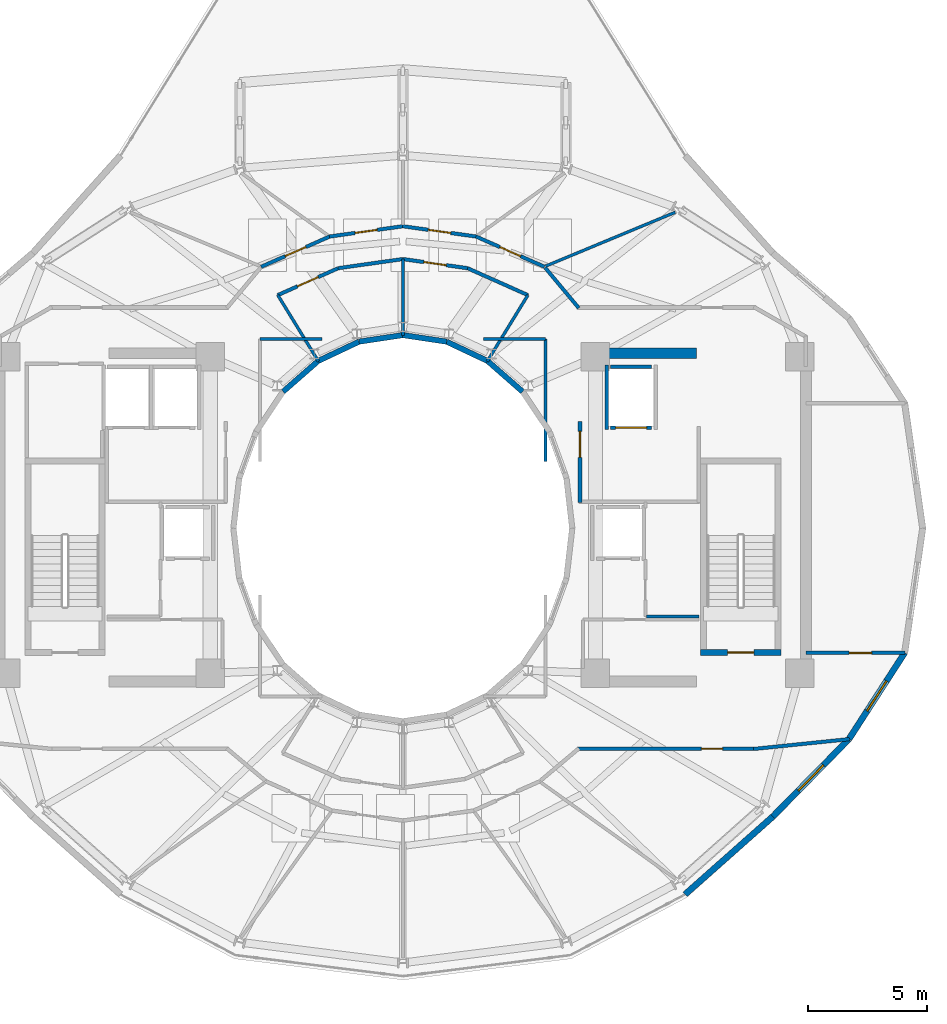
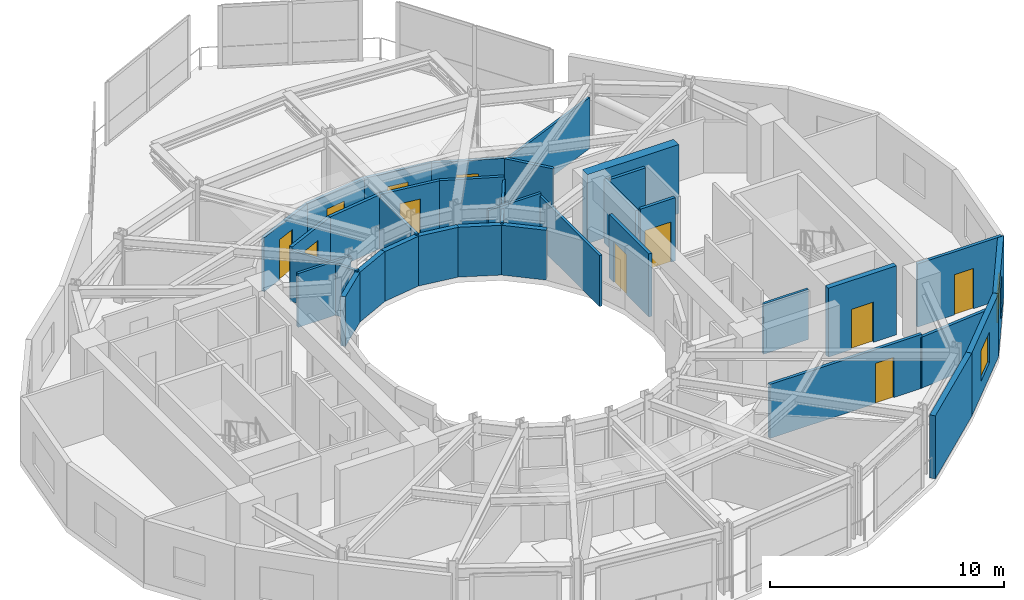
# One storey, part 15 of 19: 35 walls, 11 doors, 2 windows, 13 openings.
"""IFC4 building model written with IfcOpenShell, lengths in metres."""

from ifc_helpers import new_model, si_unit, direction, frame, frame_2d, origin, place, context, subcontext, project, spatial, rectangle, extrude, material, layer, layer_set, type_object, element, fill, save


model = new_model("IFC4")

# Units and contexts
model_context = context("Model", 3, precision=1e-05, world=origin(), true_north=direction((0.0, 1.0)))
body_context = subcontext(model_context, "Body", "Model", "MODEL_VIEW")
ifc_project = project(units=[si_unit("LENGTHUNIT", "METRE"), si_unit("AREAUNIT", "SQUARE_METRE"), si_unit("VOLUMEUNIT", "CUBIC_METRE"), si_unit("PLANEANGLEUNIT", "RADIAN"), si_unit("MASSUNIT", "GRAM", prefix="KILO")], contexts=[model_context])

# Site, building, storey
site_placement = place(None, origin())
site = spatial("IfcSite", under=ifc_project, at=site_placement, CompositionType="ELEMENT")
building_placement = place(site_placement, origin())
building = spatial("IfcBuilding", under=site, at=building_placement, Name="Solvane Sanctuary Tower", CompositionType="ELEMENT")
storey_placement = place(building_placement, frame((0.0, 0.0, 249.60009765625)))
storey = spatial("IfcBuildingStorey", under=building, at=storey_placement, Name="L76", CompositionType="ELEMENT", Elevation=249.60009765625)

# Wall
ifc_material_1 = material(Name="Concrete C50/60", Category="concrete")
ifc_layer_1 = layer(ifc_material_1, 0.449951171875, Name="Concrete C50/60")
ifc_layer_set_1 = layer_set([ifc_layer_1], Name="Concrete C50/60")
wall_type_1 = type_object("IfcWallType", Name="Wall W-CORE-450", PredefinedType="SHEAR", material=ifc_layer_set_1)
wall_1_placement = place(storey_placement, frame((39.85009765625, 30.35009765625, 0.0), z_axis=(0.0, 0.0, 1.0), x_axis=(1.0, 0.0, 0.0)))
element("IfcWall", 1, at=wall_1_placement, inside=storey, type_object=wall_type_1, Name="L76 Core Shear Wall EC-N", PredefinedType="SHEAR", context=body_context, shape_type="SweptSolid", body=[
    extrude(rectangle(XDim=4.5, YDim=0.449951171875, at=frame_2d((2.25, 0.0))), origin(), (0.0, 0.0, 1.0), 3.599853515625),
])

# Wall, opening, door
ifc_material_2 = material(Name="Acoustic Gypsum Partition Board")
ifc_layer_2 = layer(ifc_material_2, 0.14990234375, Name="Acoustic Gypsum Partition Board")
ifc_layer_set_2 = layer_set([ifc_layer_2], Name="Acoustic Gypsum Partition Board")
wall_type_2 = type_object("IfcWallType", Name="Wall W-CORR-150", PredefinedType="PARTITIONING", material=ifc_layer_set_2)
wall_2_placement = place(storey_placement, frame((39.449951171875, 24.080078125, 0.0), z_axis=(0.0, 0.0, 1.0), x_axis=(0.0, 1.0, 0.0)))
wall_2 = element("IfcWall", 2, at=wall_2_placement, inside=storey, type_object=wall_type_2, Name="L76 East Firefighting Lobby West Wall", PredefinedType="PARTITIONING", context=body_context, shape_type="SweptSolid", body=[
    extrude(rectangle(XDim=3.39990234375, YDim=0.14990234375, at=frame_2d((1.699951171875, 0.0))), origin(), (0.0, 0.0, 1.0), 3.294921875),
])
opening_1_placement = place(wall_2_placement, frame((1.893798828125, 0.0, 0.0)))
opening_1 = element("IfcOpeningElement", 3, at=opening_1_placement, cuts=wall_2, Name="Opening D-L76-04", PredefinedType="OPENING", context=body_context, shape_type="SweptSolid", body=[
    extrude(rectangle(XDim=1.10009765625, YDim=2.10009765625, at=frame_2d((0.550048828125, 1.050048828125))), frame((0.0, 0.0849609375, 0.0), z_axis=(0.0, -1.0, 0.0), x_axis=(1.0, 0.0, 0.0)), (0.0, 0.0, 1.0), 0.169921875),
])
ifc_material_3 = material(Name="Architectural Stainless Steel 316", Category="steel")
door_type_1 = type_object("IfcDoorType", Name="Door D-FFL", OperationType="NOTDEFINED", PredefinedType="DOOR", material=ifc_material_3)
door_1_placement = place(opening_1_placement, origin())
door_1 = element("IfcDoor", 4, at=door_1_placement, inside=storey, type_object=door_type_1, Name="L76 East Firefighting Lobby Fire Door", OperationType="SINGLE_SWING_LEFT", OverallHeight=2.10009765625, OverallWidth=1.10009765625, PredefinedType="DOOR", context=body_context, shape_type="SweptSolid", body=[
    extrude(rectangle(XDim=1.10009765625, YDim=2.10009765625, at=frame_2d((0.550048828125, 1.050048828125))), frame((0.0, 0.02490234375, 0.0), z_axis=(0.0, -1.0, 0.0), x_axis=(1.0, 0.0, 0.0)), (0.0, 0.0, 1.0), 0.050048828125),
])
fill(opening_1, door_1)

# Wall
wall_3_placement = place(storey_placement, frame((37.265380859375, 32.797607421875, 0.0), z_axis=(0.0, 0.0, 1.0), x_axis=(-0.913254317828, 0.407389924971, 0.0)))
element("IfcWall", 5, at=wall_3_placement, inside=storey, type_object=wall_type_2, Name="L76 Light-Well Alcove Corridor Wall 1", PredefinedType="PARTITIONING", context=body_context, shape_type="SweptSolid", body=[
    extrude(rectangle(XDim=2.78662109375, YDim=0.14990234375, at=frame_2d((1.393310546875, 0.0))), origin(), (0.0, 0.0, 1.0), 2.822998046875),
])

# Wall, opening, door
wall_4_placement = place(storey_placement, frame((34.72412109375, 33.931884765625, 0.0), z_axis=(0.0, 0.0, 1.0), x_axis=(-0.990150268487, 0.140008734782, 0.0)))
wall_4 = element("IfcWall", 6, at=wall_4_placement, inside=storey, type_object=wall_type_2, Name="L76 Light-Well Alcove Corridor Wall 1", PredefinedType="PARTITIONING", context=body_context, shape_type="SweptSolid", body=[
    extrude(rectangle(XDim=2.758544921875, YDim=0.14990234375, at=frame_2d((1.37939453125, 0.0))), origin(), (0.0, 0.0, 1.0), 2.822998046875),
])
opening_2_placement = place(wall_4_placement, frame((0.904296875, 0.0, 0.0)))
opening_2 = element("IfcOpeningElement", 7, at=opening_2_placement, cuts=wall_4, Name="Opening D-L76-10", PredefinedType="OPENING", context=body_context, shape_type="SweptSolid", body=[
    extrude(rectangle(XDim=0.949951171875, YDim=2.10009765625, at=frame_2d((0.47509765625, 1.050048828125))), frame((0.0, 0.0849609375, 0.0), z_axis=(0.0, -1.0, 0.0), x_axis=(1.0, 0.0, 0.0)), (0.0, 0.0, 1.0), 0.169921875),
])
ifc_material_4 = material(Name="Engineered Tropical Hardwood", Category="wood")
door_type_2 = type_object("IfcDoorType", Name="Door D-ROOM-950", OperationType="NOTDEFINED", PredefinedType="DOOR", material=ifc_material_4)
door_2_placement = place(opening_2_placement, origin())
door_2 = element("IfcDoor", 8, at=door_2_placement, inside=storey, type_object=door_type_2, Name="L76 Light-Well Alcove Door 1", OperationType="SINGLE_SWING_LEFT", OverallHeight=2.10009765625, OverallWidth=0.949951171875, PredefinedType="DOOR", context=body_context, shape_type="SweptSolid", body=[
    extrude(rectangle(XDim=0.949951171875, YDim=2.10009765625, at=frame_2d((0.47509765625, 1.050048828125))), frame((0.0, 0.02490234375, 0.0), z_axis=(0.0, -1.0, 0.0), x_axis=(1.0, 0.0, 0.0)), (0.0, 0.0, 1.0), 0.050048828125),
])
fill(opening_2, door_2)

# Wall
wall_5_placement = place(storey_placement, frame((32.00732421875, 34.318115234375, 0.0), z_axis=(0.0, 0.0, 1.0), x_axis=(-0.990150268487, -0.140008734782, 0.0)))
element("IfcWall", 9, at=wall_5_placement, inside=storey, type_object=wall_type_2, Name="L76 Light-Well Alcove Corridor Wall 2", PredefinedType="PARTITIONING", context=body_context, shape_type="SweptSolid", body=[
    extrude(rectangle(XDim=2.758544921875, YDim=0.14990234375, at=frame_2d((1.37939453125, 0.0))), origin(), (0.0, 0.0, 1.0), 2.822998046875),
])

# Wall, opening, door
wall_6_placement = place(storey_placement, frame((29.279541015625, 33.932861328125, 0.0), z_axis=(0.0, 0.0, 1.0), x_axis=(-0.913254317828, -0.407389924971, 0.0)))
wall_6 = element("IfcWall", 10, at=wall_6_placement, inside=storey, type_object=wall_type_2, Name="L76 Light-Well Alcove Corridor Wall 2", PredefinedType="PARTITIONING", context=body_context, shape_type="SweptSolid", body=[
    extrude(rectangle(XDim=2.78662109375, YDim=0.14990234375, at=frame_2d((1.393310546875, 0.0))), origin(), (0.0, 0.0, 1.0), 2.822998046875),
])
opening_3_placement = place(wall_6_placement, frame((0.918212890625, 0.0, 0.0)))
opening_3 = element("IfcOpeningElement", 11, at=opening_3_placement, cuts=wall_6, Name="Opening D-L76-11", PredefinedType="OPENING", context=body_context, shape_type="SweptSolid", body=[
    extrude(rectangle(XDim=0.949951171875, YDim=2.10009765625, at=frame_2d((0.47509765625, 1.050048828125))), frame((0.0, 0.0849609375, 0.0), z_axis=(0.0, -1.0, 0.0), x_axis=(1.0, 0.0, 0.0)), (0.0, 0.0, 1.0), 0.169921875),
])
door_3_placement = place(opening_3_placement, origin())
door_3 = element("IfcDoor", 12, at=door_3_placement, inside=storey, type_object=door_type_2, Name="L76 Light-Well Alcove Door 2", OperationType="SINGLE_SWING_RIGHT", OverallHeight=2.10009765625, OverallWidth=0.949951171875, PredefinedType="DOOR", context=body_context, shape_type="SweptSolid", body=[
    extrude(rectangle(XDim=0.949951171875, YDim=2.10009765625, at=frame_2d((0.47509765625, 1.050048828125))), frame((0.0, 0.02490234375, 0.0), z_axis=(0.0, -1.0, 0.0), x_axis=(1.0, 0.0, 0.0)), (0.0, 0.0, 1.0), 0.050048828125),
])
fill(opening_3, door_3)

wall_7_placement = place(storey_placement, frame((48.949951171875, 17.754638671875, 0.0), z_axis=(0.0, 0.0, 1.0), x_axis=(1.0, 0.0, 0.0)))
wall_7 = element("IfcWall", 13, at=wall_7_placement, inside=storey, type_object=wall_type_2, Name="L76 East Shoulder South Wall", PredefinedType="PARTITIONING", context=body_context, shape_type="SweptSolid", body=[
    extrude(rectangle(XDim=4.174560546875, YDim=0.14990234375, at=frame_2d((2.08740234375, 0.0))), origin(), (0.0, 0.0, 1.0), 3.294921875),
])
opening_4_placement = place(wall_7_placement, frame((1.817138671875, 0.0, 0.0)))
opening_4 = element("IfcOpeningElement", 14, at=opening_4_placement, cuts=wall_7, Name="Opening D-L76-14", PredefinedType="OPENING", context=body_context, shape_type="SweptSolid", body=[
    extrude(rectangle(XDim=0.949951171875, YDim=2.10009765625, at=frame_2d((0.47509765625, 1.050048828125))), frame((0.0, 0.0849609375, 0.0), z_axis=(0.0, -1.0, 0.0), x_axis=(1.0, 0.0, 0.0)), (0.0, 0.0, 1.0), 0.169921875),
])
door_4_placement = place(opening_4_placement, origin())
door_4 = element("IfcDoor", 15, at=door_4_placement, inside=storey, type_object=door_type_2, Name="L76 East Shoulder South Door", OperationType="SINGLE_SWING_LEFT", OverallHeight=2.10009765625, OverallWidth=0.949951171875, PredefinedType="DOOR", context=body_context, shape_type="SweptSolid", body=[
    extrude(rectangle(XDim=0.949951171875, YDim=2.10009765625, at=frame_2d((0.47509765625, 1.050048828125))), frame((0.0, 0.02490234375, 0.0), z_axis=(0.0, -1.0, 0.0), x_axis=(1.0, 0.0, 0.0)), (0.0, 0.0, 1.0), 0.050048828125),
])
fill(opening_4, door_4)

# Wall
wall_8_placement = place(storey_placement, frame((37.984130859375, 33.95458984375, 0.0), z_axis=(0.0, 0.0, 1.0), x_axis=(0.64030392053, -0.76812166312, 0.0)))
element("IfcWall", 16, at=wall_8_placement, inside=storey, type_object=wall_type_2, Name="L76 NE Corner Throat Wall", PredefinedType="PARTITIONING", context=body_context, shape_type="SweptSolid", body=[
    extrude(rectangle(XDim=2.2099609375, YDim=0.14990234375, at=frame_2d((1.10498046875, 0.0))), origin(), (0.0, 0.0, 1.0), 2.81591796875),
])

# Wall, opening, door
wall_9_placement = place(storey_placement, frame((39.330078125, 13.719970703125, 0.0), z_axis=(0.0, 0.0, 1.0), x_axis=(1.0, 0.0, 0.0)))
wall_9 = element("IfcWall", 17, at=wall_9_placement, inside=storey, type_object=wall_type_2, Name="L76 SE Corner Corridor Wall", PredefinedType="PARTITIONING", context=body_context, shape_type="SweptSolid", body=[
    extrude(rectangle(XDim=7.52001953125, YDim=0.14990234375, at=frame_2d((3.760009765625, 0.0))), origin(), (0.0, 0.0, 1.0), 2.81591796875),
])
opening_5_placement = place(wall_9_placement, frame((5.219970703125, 0.0, 0.0)))
opening_5 = element("IfcOpeningElement", 18, at=opening_5_placement, cuts=wall_9, Name="Opening D-L76-19", PredefinedType="OPENING", context=body_context, shape_type="SweptSolid", body=[
    extrude(rectangle(XDim=0.89990234375, YDim=2.10009765625, at=frame_2d((0.449951171875, 1.050048828125))), frame((0.0, 0.0849609375, 0.0), z_axis=(0.0, -1.0, 0.0), x_axis=(1.0, 0.0, 0.0)), (0.0, 0.0, 1.0), 0.169921875),
])
door_type_3 = type_object("IfcDoorType", Name="Door D-WET-900", OperationType="NOTDEFINED", PredefinedType="DOOR", material=ifc_material_4)
door_5_placement = place(opening_5_placement, origin())
door_5 = element("IfcDoor", 19, at=door_5_placement, inside=storey, type_object=door_type_3, Name="L76 SE Corner Salon Door", OperationType="SINGLE_SWING_RIGHT", OverallHeight=2.10009765625, OverallWidth=0.89990234375, PredefinedType="DOOR", context=body_context, shape_type="SweptSolid", body=[
    extrude(rectangle(XDim=0.89990234375, YDim=2.10009765625, at=frame_2d((0.449951171875, 1.050048828125))), frame((0.0, 0.02490234375, 0.0), z_axis=(0.0, -1.0, 0.0), x_axis=(1.0, 0.0, 0.0)), (0.0, 0.0, 1.0), 0.050048828125),
])
fill(opening_5, door_5)

# Wall
wall_10_placement = place(storey_placement, frame((46.750244140625, 13.71484375, 0.0), z_axis=(0.0, 0.0, 1.0), x_axis=(0.994734711466, 0.102483431859, 0.0)))
element("IfcWall", 20, at=wall_10_placement, inside=storey, type_object=wall_type_2, Name="L76 SE Corner Wing Wall", PredefinedType="PARTITIONING", context=body_context, shape_type="SweptSolid", body=[
    extrude(rectangle(XDim=4.04736328125, YDim=0.14990234375, at=frame_2d((2.023681640625, 0.0))), origin(), (0.0, 0.0, 1.0), 2.659912109375),
])

# Wall, opening, door
wall_11_placement = place(storey_placement, frame((37.956298828125, 33.992431640625, 0.0), z_axis=(0.0, 0.0, 1.0), x_axis=(-0.914642679993, 0.404263240891, 0.0)))
wall_11 = element("IfcWall", 21, at=wall_11_placement, inside=storey, type_object=wall_type_2, Name="L76 Sky Promenade Corridor Wall N1", PredefinedType="PARTITIONING", context=body_context, shape_type="SweptSolid", body=[
    extrude(rectangle(XDim=3.154296875, YDim=0.14990234375, at=frame_2d((1.5771484375, 0.0))), origin(), (0.0, 0.0, 1.0), 2.822998046875),
])
opening_6_placement = place(wall_11_placement, frame((1.10205078125, 0.0, 0.0)))
opening_6 = element("IfcOpeningElement", 22, at=opening_6_placement, cuts=wall_11, Name="Opening D-L76-20", PredefinedType="OPENING", context=body_context, shape_type="SweptSolid", body=[
    extrude(rectangle(XDim=0.949951171875, YDim=2.10009765625, at=frame_2d((0.47509765625, 1.050048828125))), frame((0.0, 0.0849609375, 0.0), z_axis=(0.0, -1.0, 0.0), x_axis=(1.0, 0.0, 0.0)), (0.0, 0.0, 1.0), 0.169921875),
])
door_6_placement = place(opening_6_placement, origin())
door_6 = element("IfcDoor", 23, at=door_6_placement, inside=storey, type_object=door_type_2, Name="L76 Sky Hall Entrance Door N1", OperationType="SINGLE_SWING_LEFT", OverallHeight=2.10009765625, OverallWidth=0.949951171875, PredefinedType="DOOR", context=body_context, shape_type="SweptSolid", body=[
    extrude(rectangle(XDim=0.949951171875, YDim=2.10009765625, at=frame_2d((0.47509765625, 1.050048828125))), frame((0.0, 0.02490234375, 0.0), z_axis=(0.0, -1.0, 0.0), x_axis=(1.0, 0.0, 0.0)), (0.0, 0.0, 1.0), 0.050048828125),
])
fill(opening_6, door_6)

wall_12_placement = place(storey_placement, frame((35.08740234375, 35.262939453125, 0.0), z_axis=(0.0, 0.0, 1.0), x_axis=(-0.990268690673, 0.139168675614, 0.0)))
wall_12 = element("IfcWall", 24, at=wall_12_placement, inside=storey, type_object=wall_type_2, Name="L76 Sky Promenade Corridor Wall N2", PredefinedType="PARTITIONING", context=body_context, shape_type="SweptSolid", body=[
    extrude(rectangle(XDim=3.126220703125, YDim=0.14990234375, at=frame_2d((1.56298828125, 0.0))), origin(), (0.0, 0.0, 1.0), 2.822998046875),
])
opening_7_placement = place(wall_12_placement, frame((1.088134765625, 0.0, 0.0)))
opening_7 = element("IfcOpeningElement", 25, at=opening_7_placement, cuts=wall_12, Name="Opening D-L76-21", PredefinedType="OPENING", context=body_context, shape_type="SweptSolid", body=[
    extrude(rectangle(XDim=0.949951171875, YDim=2.10009765625, at=frame_2d((0.47509765625, 1.050048828125))), frame((0.0, 0.0849609375, 0.0), z_axis=(0.0, -1.0, 0.0), x_axis=(1.0, 0.0, 0.0)), (0.0, 0.0, 1.0), 0.169921875),
])
door_7_placement = place(opening_7_placement, origin())
door_7 = element("IfcDoor", 26, at=door_7_placement, inside=storey, type_object=door_type_2, Name="L76 Sky Hall Entrance Door N2", OperationType="SINGLE_SWING_RIGHT", OverallHeight=2.10009765625, OverallWidth=0.949951171875, PredefinedType="DOOR", context=body_context, shape_type="SweptSolid", body=[
    extrude(rectangle(XDim=0.949951171875, YDim=2.10009765625, at=frame_2d((0.47509765625, 1.050048828125))), frame((0.0, 0.02490234375, 0.0), z_axis=(0.0, -1.0, 0.0), x_axis=(1.0, 0.0, 0.0)), (0.0, 0.0, 1.0), 0.050048828125),
])
fill(opening_7, door_7)

wall_13_placement = place(storey_placement, frame((32.00830078125, 35.697998046875, 0.0), z_axis=(0.0, 0.0, 1.0), x_axis=(-0.990268690673, -0.139168675614, 0.0)))
wall_13 = element("IfcWall", 27, at=wall_13_placement, inside=storey, type_object=wall_type_2, Name="L76 Sky Promenade Corridor Wall N3", PredefinedType="PARTITIONING", context=body_context, shape_type="SweptSolid", body=[
    extrude(rectangle(XDim=3.126220703125, YDim=0.14990234375, at=frame_2d((1.56298828125, 0.0))), origin(), (0.0, 0.0, 1.0), 2.822998046875),
])
opening_8_placement = place(wall_13_placement, frame((1.088134765625, 0.0, 0.0)))
opening_8 = element("IfcOpeningElement", 28, at=opening_8_placement, cuts=wall_13, Name="Opening D-L76-22", PredefinedType="OPENING", context=body_context, shape_type="SweptSolid", body=[
    extrude(rectangle(XDim=0.949951171875, YDim=2.10009765625, at=frame_2d((0.47509765625, 1.050048828125))), frame((0.0, 0.0849609375, 0.0), z_axis=(0.0, -1.0, 0.0), x_axis=(1.0, 0.0, 0.0)), (0.0, 0.0, 1.0), 0.169921875),
])
door_8_placement = place(opening_8_placement, origin())
door_8 = element("IfcDoor", 29, at=door_8_placement, inside=storey, type_object=door_type_2, Name="L76 Sky Hall Entrance Door N3", OperationType="SINGLE_SWING_LEFT", OverallHeight=2.10009765625, OverallWidth=0.949951171875, PredefinedType="DOOR", context=body_context, shape_type="SweptSolid", body=[
    extrude(rectangle(XDim=0.949951171875, YDim=2.10009765625, at=frame_2d((0.47509765625, 1.050048828125))), frame((0.0, 0.02490234375, 0.0), z_axis=(0.0, -1.0, 0.0), x_axis=(1.0, 0.0, 0.0)), (0.0, 0.0, 1.0), 0.050048828125),
])
fill(opening_8, door_8)

wall_14_placement = place(storey_placement, frame((28.9287109375, 35.267578125, 0.0), z_axis=(0.0, 0.0, 1.0), x_axis=(-0.914642679993, -0.404263240891, 0.0)))
wall_14 = element("IfcWall", 30, at=wall_14_placement, inside=storey, type_object=wall_type_2, Name="L76 Sky Promenade Corridor Wall N4", PredefinedType="PARTITIONING", context=body_context, shape_type="SweptSolid", body=[
    extrude(rectangle(XDim=3.154296875, YDim=0.14990234375, at=frame_2d((1.5771484375, 0.0))), origin(), (0.0, 0.0, 1.0), 2.822998046875),
])
opening_9_placement = place(wall_14_placement, frame((1.10205078125, 0.0, 0.0)))
opening_9 = element("IfcOpeningElement", 31, at=opening_9_placement, cuts=wall_14, Name="Opening D-L76-23", PredefinedType="OPENING", context=body_context, shape_type="SweptSolid", body=[
    extrude(rectangle(XDim=0.949951171875, YDim=2.10009765625, at=frame_2d((0.47509765625, 1.050048828125))), frame((0.0, 0.0849609375, 0.0), z_axis=(0.0, -1.0, 0.0), x_axis=(1.0, 0.0, 0.0)), (0.0, 0.0, 1.0), 0.169921875),
])
door_9_placement = place(opening_9_placement, origin())
door_9 = element("IfcDoor", 32, at=door_9_placement, inside=storey, type_object=door_type_2, Name="L76 Sky Hall Entrance Door N4", OperationType="SINGLE_SWING_RIGHT", OverallHeight=2.10009765625, OverallWidth=0.949951171875, PredefinedType="DOOR", context=body_context, shape_type="SweptSolid", body=[
    extrude(rectangle(XDim=0.949951171875, YDim=2.10009765625, at=frame_2d((0.47509765625, 1.050048828125))), frame((0.0, 0.02490234375, 0.0), z_axis=(0.0, -1.0, 0.0), x_axis=(1.0, 0.0, 0.0)), (0.0, 0.0, 1.0), 0.050048828125),
])
fill(opening_9, door_9)

# Wall
ifc_material_5 = material(Name="Precast concrete C40/50", Category="concrete")
ifc_layer_3 = layer(ifc_material_5, 0.260009765625, Name="Precast concrete C40/50")
ifc_layer_set_3 = layer_set([ifc_layer_3], Name="Precast concrete C40/50")
wall_type_3 = type_object("IfcWallType", Name="Wall W-EXT-250", PredefinedType="STANDARD", material=ifc_layer_set_3)
wall_15_placement = place(storey_placement, frame((43.8701171875, 7.600830078125, 0.0), z_axis=(0.0, 0.0, 1.0), x_axis=(0.748165854006, 0.663511759428, 0.0)))
element("IfcWall", 33, at=wall_15_placement, inside=storey, type_object=wall_type_3, Name="L76 Ceramic-Printed Facade Wall 20", PredefinedType="STANDARD", context=body_context, shape_type="SweptSolid", body=[
    extrude(rectangle(XDim=4.9287109375, YDim=0.260009765625, at=frame_2d((2.46435546875, 0.0))), origin(), (0.0, 0.0, 1.0), 3.289794921875),
])

# Wall, opening, window
wall_16_placement = place(storey_placement, frame((47.5576171875, 10.87109375, 0.0), z_axis=(0.0, 0.0, 1.0), x_axis=(0.700642973333, 0.713512034881, 0.0)))
wall_16 = element("IfcWall", 34, at=wall_16_placement, inside=storey, type_object=wall_type_3, Name="L76 Ceramic-Printed Facade Wall 21", PredefinedType="STANDARD", context=body_context, shape_type="SweptSolid", body=[
    extrude(rectangle(XDim=4.572021484375, YDim=0.260009765625, at=frame_2d((2.2861328125, 0.0))), origin(), (0.0, 0.0, 1.0), 3.289794921875),
])
opening_10_placement = place(wall_16_placement, frame((1.535888671875, 0.0, 0.75)))
opening_10 = element("IfcOpeningElement", 35, at=opening_10_placement, cuts=wall_16, Name="Opening WN-OPER-1500", PredefinedType="OPENING", context=body_context, shape_type="SweptSolid", body=[
    extrude(rectangle(XDim=1.5, YDim=1.60009765625, at=frame_2d((0.75, 0.800048828125))), frame((0.0, 0.139892578125, 0.0), z_axis=(0.0, -1.0, 0.0), x_axis=(1.0, 0.0, 0.0)), (0.0, 0.0, 1.0), 0.280029296875),
])
ifc_material_6 = material(Name="Dark Ceramic-Fritted Low-E Glass", Category="glass")
window_type = type_object("IfcWindowType", Name="Window WN-OPER-1500", PartitioningType="SINGLE_PANEL", PredefinedType="WINDOW", material=ifc_material_6)
window_1_placement = place(opening_10_placement, origin())
window_1 = element("IfcWindow", 36, at=window_1_placement, inside=storey, type_object=window_type, Name="L76 Operable Facade Window 21", OverallHeight=1.60009765625, OverallWidth=1.5, PartitioningType="SINGLE_PANEL", PredefinedType="WINDOW", context=body_context, shape_type="SweptSolid", body=[
    extrude(rectangle(XDim=1.5, YDim=1.60009765625, at=frame_2d((0.75, 0.800048828125))), frame((0.0, 0.030029296875, 0.0), z_axis=(0.0, -1.0, 0.0), x_axis=(1.0, 0.0, 0.0)), (0.0, 0.0, 1.0), 0.06005859375),
])
fill(opening_10, window_1)

wall_17_placement = place(storey_placement, frame((50.760986328125, 14.13330078125, 0.0), z_axis=(0.0, 0.0, 1.0), x_axis=(0.542641766008, 0.839964233634, 0.0)))
wall_17 = element("IfcWall", 37, at=wall_17_placement, inside=storey, type_object=wall_type_3, Name="L76 Ceramic-Printed Facade Wall 22", PredefinedType="STANDARD", context=body_context, shape_type="SweptSolid", body=[
    extrude(rectangle(XDim=4.319091796875, YDim=0.260009765625, at=frame_2d((2.15966796875, 0.0))), origin(), (0.0, 0.0, 1.0), 3.289794921875),
])
opening_11_placement = place(wall_17_placement, frame((1.40966796875, 0.0, 0.75)))
opening_11 = element("IfcOpeningElement", 38, at=opening_11_placement, cuts=wall_17, Name="Opening WN-OPER-1500", PredefinedType="OPENING", context=body_context, shape_type="SweptSolid", body=[
    extrude(rectangle(XDim=1.5, YDim=1.60009765625, at=frame_2d((0.75, 0.800048828125))), frame((0.0, 0.139892578125, 0.0), z_axis=(0.0, -1.0, 0.0), x_axis=(1.0, 0.0, 0.0)), (0.0, 0.0, 1.0), 0.280029296875),
])
window_2_placement = place(opening_11_placement, origin())
window_2 = element("IfcWindow", 39, at=window_2_placement, inside=storey, type_object=window_type, Name="L76 Operable Facade Window 22", OverallHeight=1.60009765625, OverallWidth=1.5, PartitioningType="SINGLE_PANEL", PredefinedType="WINDOW", context=body_context, shape_type="SweptSolid", body=[
    extrude(rectangle(XDim=1.5, YDim=1.60009765625, at=frame_2d((0.75, 0.800048828125))), frame((0.0, 0.030029296875, 0.0), z_axis=(0.0, -1.0, 0.0), x_axis=(1.0, 0.0, 0.0)), (0.0, 0.0, 1.0), 0.06005859375),
])
fill(opening_11, window_2)

# Walls
ifc_layer_4 = layer(ifc_material_5, 0.22998046875, Name="Precast concrete C40/50")
ifc_layer_set_4 = layer_set([ifc_layer_4], Name="Precast concrete C40/50")
wall_type_4 = type_object("IfcWallType", Name="Wall W-EXT-SP220", PredefinedType="STANDARD", material=ifc_layer_set_4)
wall_18_placement = place(storey_placement, frame((37.03466796875, 28.74169921875, 0.0), z_axis=(0.0, 0.0, 1.0), x_axis=(-0.752576694707, 0.658504607869, 0.0)))
element("IfcWall", 40, at=wall_18_placement, inside=storey, type_object=wall_type_4, Name="L76 Central Light-Well Wall 03", PredefinedType="STANDARD", context=body_context, shape_type="SweptSolid", body=[
    extrude(rectangle(XDim=1.95947265625, YDim=0.22998046875, at=frame_2d((0.979736328125, 0.0))), origin(), (0.0, 0.0, 1.0), 2.599853515625),
])
wall_19_placement = place(storey_placement, frame((35.56005859375, 30.031982421875, 0.0), z_axis=(0.0, 0.0, 1.0), x_axis=(-0.904179699603, 0.427152280606, 0.0)))
element("IfcWall", 41, at=wall_19_placement, inside=storey, type_object=wall_type_4, Name="L76 Central Light-Well Wall 04", PredefinedType="STANDARD", context=body_context, shape_type="SweptSolid", body=[
    extrude(rectangle(XDim=1.899169921875, YDim=0.22998046875, at=frame_2d((0.94970703125, 0.0))), origin(), (0.0, 0.0, 1.0), 2.599853515625),
])
for number, where, z_axis, x_axis, name in (
    (42, (33.8427734375, 30.84326171875, 0.0), (0.0, 0.0, 1.0), (-0.988901730308, 0.148571086668, 0.0), "L76 Central Light-Well Wall 05"),
    (43, (32.0, 31.1201171875, 0.0), (0.0, 0.0, 1.0), (-0.988901730308, -0.148571086668, 0.0), "L76 Central Light-Well Wall 06"),
):
    element("IfcWall", number, at=place(storey_placement, frame(where, z_axis=z_axis, x_axis=x_axis)), inside=storey, type_object=wall_type_4, Name=name, PredefinedType="STANDARD", context=body_context, shape_type="SweptSolid", body=[
        extrude(rectangle(XDim=1.863525390625, YDim=0.22998046875, at=frame_2d((0.931640625, 0.0))), origin(), (0.0, 0.0, 1.0), 2.599853515625),
    ])
wall_20_placement = place(storey_placement, frame((30.1572265625, 30.84326171875, 0.0), z_axis=(0.0, 0.0, 1.0), x_axis=(-0.904179699603, -0.427152280606, 0.0)))
element("IfcWall", 44, at=wall_20_placement, inside=storey, type_object=wall_type_4, Name="L76 Central Light-Well Wall 07", PredefinedType="STANDARD", context=body_context, shape_type="SweptSolid", body=[
    extrude(rectangle(XDim=1.899169921875, YDim=0.22998046875, at=frame_2d((0.94970703125, 0.0))), origin(), (0.0, 0.0, 1.0), 2.599853515625),
])
wall_21_placement = place(storey_placement, frame((28.43994140625, 30.031982421875, 0.0), z_axis=(0.0, 0.0, 1.0), x_axis=(-0.752576694707, -0.658504607869, 0.0)))
element("IfcWall", 45, at=wall_21_placement, inside=storey, type_object=wall_type_4, Name="L76 Central Light-Well Wall 08", PredefinedType="STANDARD", context=body_context, shape_type="SweptSolid", body=[
    extrude(rectangle(XDim=1.95947265625, YDim=0.22998046875, at=frame_2d((0.979736328125, 0.0))), origin(), (0.0, 0.0, 1.0), 2.599853515625),
])
ifc_layer_5 = layer(ifc_material_2, 0.1201171875, Name="Acoustic Gypsum Partition Board")
ifc_layer_set_5 = layer_set([ifc_layer_5], Name="Acoustic Gypsum Partition Board")
wall_type_5 = type_object("IfcWallType", Name="Wall W-MOV-100", PredefinedType="MOVABLE", material=ifc_layer_set_5)
wall_22_placement = place(storey_placement, frame((37.999755859375, 34.017822265625, 0.0), z_axis=(0.0, 0.0, 1.0), x_axis=(0.92349333748, 0.383614462228, 0.0)))
element("IfcWall", 46, at=wall_22_placement, inside=storey, type_object=wall_type_5, Name="L76 Sky Hall Radial Partition 060", PredefinedType="MOVABLE", context=body_context, shape_type="SweptSolid", body=[
    extrude(rectangle(XDim=5.9072265625, YDim=0.1201171875, at=frame_2d((2.95361328125, 0.0))), origin(), (0.0, 0.0, 1.0), 2.659912109375),
])
ifc_layer_6 = layer(ifc_material_2, 0.125, Name="Acoustic Gypsum Partition Board")
ifc_layer_set_6 = layer_set([ifc_layer_6], Name="Acoustic Gypsum Partition Board")
wall_type_6 = type_object("IfcWallType", Name="Wall W-PART-125", PredefinedType="PARTITIONING", material=ifc_layer_set_6)
wall_23_placement = place(storey_placement, frame((42.239990234375, 19.280029296875, 0.0), z_axis=(0.0, 0.0, 1.0), x_axis=(1.0, 0.0, 0.0)))
element("IfcWall", 47, at=wall_23_placement, inside=storey, type_object=wall_type_6, Name="L76 Reclaimed Room Closer Wall PME-1", PredefinedType="PARTITIONING", context=body_context, shape_type="SweptSolid", body=[
    extrude(rectangle(XDim=2.2099609375, YDim=0.125, at=frame_2d((1.10498046875, 0.0))), origin(), (0.0, 0.0, 1.0), 2.619873046875),
])
wall_24_placement = place(storey_placement, frame((35.550048828125, 30.014892578125, 0.0), z_axis=(0.0, 0.0, 1.0), x_axis=(0.522763432117, 0.852477796802, 0.0)))
element("IfcWall", 48, at=wall_24_placement, inside=storey, type_object=wall_type_6, Name="L76 Light-Well Alcove Radial Wall 60", PredefinedType="PARTITIONING", context=body_context, shape_type="SweptSolid", body=[
    extrude(rectangle(XDim=3.26904296875, YDim=0.125, at=frame_2d((1.634521484375, 0.0))), origin(), (0.0, 0.0, 1.0), 2.671875),
])
wall_25_placement = place(storey_placement, frame((32.0, 31.10009765625, 0.0), z_axis=(0.0, 0.0, 1.0), x_axis=(0.0, 1.0, 0.0)))
element("IfcWall", 49, at=wall_25_placement, inside=storey, type_object=wall_type_6, Name="L76 Light-Well Alcove Radial Wall 90", PredefinedType="PARTITIONING", context=body_context, shape_type="SweptSolid", body=[
    extrude(rectangle(XDim=3.218017578125, YDim=0.125, at=frame_2d((1.60888671875, 0.0))), origin(), (0.0, 0.0, 1.0), 2.671875),
])
wall_26_placement = place(storey_placement, frame((28.449951171875, 30.014892578125, 0.0), z_axis=(0.0, 0.0, 1.0), x_axis=(-0.522763432117, 0.852477796802, 0.0)))
element("IfcWall", 50, at=wall_26_placement, inside=storey, type_object=wall_type_6, Name="L76 Light-Well Alcove Radial Wall 120", PredefinedType="PARTITIONING", context=body_context, shape_type="SweptSolid", body=[
    extrude(rectangle(XDim=3.26904296875, YDim=0.125, at=frame_2d((1.634521484375, 0.0))), origin(), (0.0, 0.0, 1.0), 2.671875),
])
wall_27_placement = place(storey_placement, frame((26.0, 30.9599609375, 0.0), z_axis=(0.0, 0.0, 1.0), x_axis=(1.0, 0.0, 0.0)))
element("IfcWall", 51, at=wall_27_placement, inside=storey, type_object=wall_type_6, Name="L76 Bridge Alcove Wall 2", PredefinedType="PARTITIONING", context=body_context, shape_type="SweptSolid", body=[
    extrude(rectangle(XDim=2.60009765625, YDim=0.125, at=frame_2d((1.300048828125, 0.0))), origin(), (0.0, 0.0, 1.0), 2.81591796875),
])
wall_28_placement = place(storey_placement, frame((38.0, 25.800048828125, 0.0), z_axis=(0.0, 0.0, 1.0), x_axis=(0.0, 1.0, 0.0)))
element("IfcWall", 52, at=wall_28_placement, inside=storey, type_object=wall_type_6, Name="L76 Bridge Alcove Wall 3", PredefinedType="PARTITIONING", context=body_context, shape_type="SweptSolid", body=[
    extrude(rectangle(XDim=5.159912109375, YDim=0.125, at=frame_2d((2.580078125, 0.0))), origin(), (0.0, 0.0, 1.0), 2.671875),
])
wall_29_placement = place(storey_placement, frame((35.39990234375, 30.9599609375, 0.0), z_axis=(0.0, 0.0, 1.0), x_axis=(1.0, 0.0, 0.0)))
element("IfcWall", 53, at=wall_29_placement, inside=storey, type_object=wall_type_6, Name="L76 Bridge Alcove Wall 4", PredefinedType="PARTITIONING", context=body_context, shape_type="SweptSolid", body=[
    extrude(rectangle(XDim=2.60009765625, YDim=0.125, at=frame_2d((1.300048828125, 0.0))), origin(), (0.0, 0.0, 1.0), 2.81591796875),
])

# Wall, opening, door
ifc_layer_7 = layer(ifc_material_1, 0.14990234375, Name="Concrete C50/60")
ifc_layer_set_7 = layer_set([ifc_layer_7], Name="Concrete C50/60")
wall_type_7 = type_object("IfcWallType", Name="Wall W-SHAFT-150", PredefinedType="SOLIDWALL", material=ifc_layer_set_7)
wall_30_placement = place(storey_placement, frame((40.739990234375, 27.219970703125, 0.0), z_axis=(0.0, 0.0, 1.0), x_axis=(1.0, 0.0, 0.0)))
wall_30 = element("IfcWall", 54, at=wall_30_placement, inside=storey, type_object=wall_type_7, Name="L76 FFL-2 Lift Shaft Wall F", PredefinedType="SOLIDWALL", context=body_context, shape_type="SweptSolid", body=[
    extrude(rectangle(XDim=1.719970703125, YDim=0.14990234375, at=frame_2d((0.85986328125, 0.0))), origin(), (0.0, 0.0, 1.0), 3.294921875),
])
opening_12_placement = place(wall_30_placement, frame((0.2099609375, 0.0, 0.0)))
opening_12 = element("IfcOpeningElement", 55, at=opening_12_placement, cuts=wall_30, Name="Opening LD-L76-05", PredefinedType="OPENING", context=body_context, shape_type="SweptSolid", body=[
    extrude(rectangle(XDim=1.300048828125, YDim=2.10009765625, at=frame_2d((0.64990234375, 1.050048828125))), frame((0.0, 0.0849609375, 0.0), z_axis=(0.0, -1.0, 0.0), x_axis=(1.0, 0.0, 0.0)), (0.0, 0.0, 1.0), 0.169921875),
])
door_type_4 = type_object("IfcDoorType", Name="Door LD-FFL-1300", OperationType="NOTDEFINED", PredefinedType="DOOR", material=ifc_material_3)
door_10_placement = place(opening_12_placement, origin())
door_10 = element("IfcDoor", 56, at=door_10_placement, inside=storey, type_object=door_type_4, Name="L76 FFL-2 Lift Landing Door", OperationType="DOUBLE_DOOR_SLIDING", OverallHeight=2.10009765625, OverallWidth=1.300048828125, PredefinedType="DOOR", context=body_context, shape_type="SweptSolid", body=[
    extrude(rectangle(XDim=1.300048828125, YDim=2.10009765625, at=frame_2d((0.64990234375, 1.050048828125))), frame((0.0, 0.02490234375, 0.0), z_axis=(0.0, -1.0, 0.0), x_axis=(1.0, 0.0, 0.0)), (0.0, 0.0, 1.0), 0.050048828125),
])
fill(opening_12, door_10)

# Walls
wall_31_placement = place(storey_placement, frame((40.739990234375, 29.780029296875, 0.0), z_axis=(0.0, 0.0, 1.0), x_axis=(1.0, 0.0, 0.0)))
element("IfcWall", 57, at=wall_31_placement, inside=storey, type_object=wall_type_7, Name="L76 FFL-2 Lift Shaft Wall B", PredefinedType="SOLIDWALL", context=body_context, shape_type="SweptSolid", body=[
    extrude(rectangle(XDim=1.719970703125, YDim=0.14990234375, at=frame_2d((0.85986328125, 0.0))), origin(), (0.0, 0.0, 1.0), 3.294921875),
])
wall_32_placement = place(storey_placement, frame((40.570068359375, 27.139892578125, 0.0), z_axis=(0.0, 0.0, 1.0), x_axis=(0.0, 1.0, 0.0)))
element("IfcWall", 58, at=wall_32_placement, inside=storey, type_object=wall_type_7, Name="L76 FFL-2 Lift Shaft Wall S1", PredefinedType="SOLIDWALL", context=body_context, shape_type="SweptSolid", body=[
    extrude(rectangle(XDim=2.72021484375, YDim=0.14990234375, at=frame_2d((1.360107421875, 0.0))), origin(), (0.0, 0.0, 1.0), 3.294921875),
])

# Wall, opening, door
ifc_layer_8 = layer(ifc_material_1, 0.25, Name="Concrete C50/60")
ifc_layer_set_8 = layer_set([ifc_layer_8], Name="Concrete C50/60")
wall_type_8 = type_object("IfcWallType", Name="Wall W-SHAFT-250", PredefinedType="SOLIDWALL", material=ifc_layer_set_8)
wall_33_placement = place(storey_placement, frame((44.52490234375, 17.77001953125, 0.0), z_axis=(0.0, 0.0, 1.0), x_axis=(1.0, 0.0, 0.0)))
wall_33 = element("IfcWall", 59, at=wall_33_placement, inside=storey, type_object=wall_type_8, Name="L76 ST-2 Load-Bearing Shaft Wall S", PredefinedType="SOLIDWALL", context=body_context, shape_type="SweptSolid", body=[
    extrude(rectangle(XDim=3.3701171875, YDim=0.25, at=frame_2d((1.68505859375, 0.0))), origin(), (0.0, 0.0, 1.0), 3.599853515625),
])
opening_13_placement = place(wall_33_placement, frame((1.135009765625, 0.0, 0.0)))
opening_13 = element("IfcOpeningElement", 60, at=opening_13_placement, cuts=wall_33, Name="Opening D-L76-02", PredefinedType="OPENING", context=body_context, shape_type="SweptSolid", body=[
    extrude(rectangle(XDim=1.10009765625, YDim=2.10009765625, at=frame_2d((0.550048828125, 1.050048828125))), frame((0.0, 0.135009765625, 0.0), z_axis=(0.0, -1.0, 0.0), x_axis=(1.0, 0.0, 0.0)), (0.0, 0.0, 1.0), 0.27001953125),
])
door_type_5 = type_object("IfcDoorType", Name="Door D-STAIR", OperationType="NOTDEFINED", PredefinedType="DOOR", material=ifc_material_3)
door_11_placement = place(opening_13_placement, origin())
door_11 = element("IfcDoor", 61, at=door_11_placement, inside=storey, type_object=door_type_5, Name="L76 ST-2 Exit Stair Fire Door", OperationType="SINGLE_SWING_RIGHT", OverallHeight=2.10009765625, OverallWidth=1.10009765625, PredefinedType="DOOR", context=body_context, shape_type="SweptSolid", body=[
    extrude(rectangle(XDim=1.10009765625, YDim=2.10009765625, at=frame_2d((0.550048828125, 1.050048828125))), frame((0.0, 0.02490234375, 0.0), z_axis=(0.0, -1.0, 0.0), x_axis=(1.0, 0.0, 0.0)), (0.0, 0.0, 1.0), 0.050048828125),
])
fill(opening_13, door_11)

save(model, "model.ifc")
